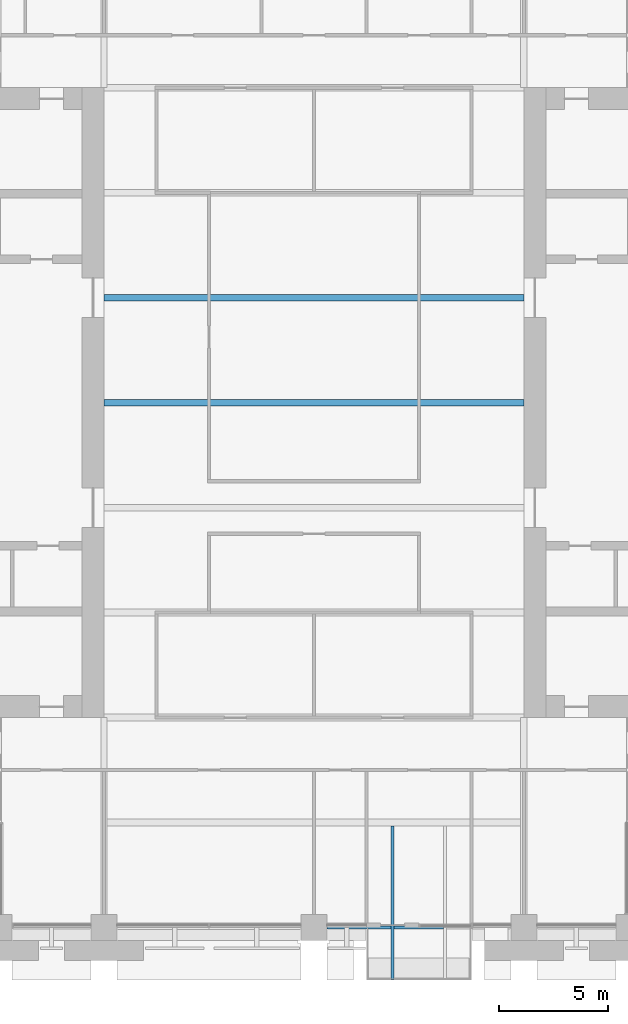
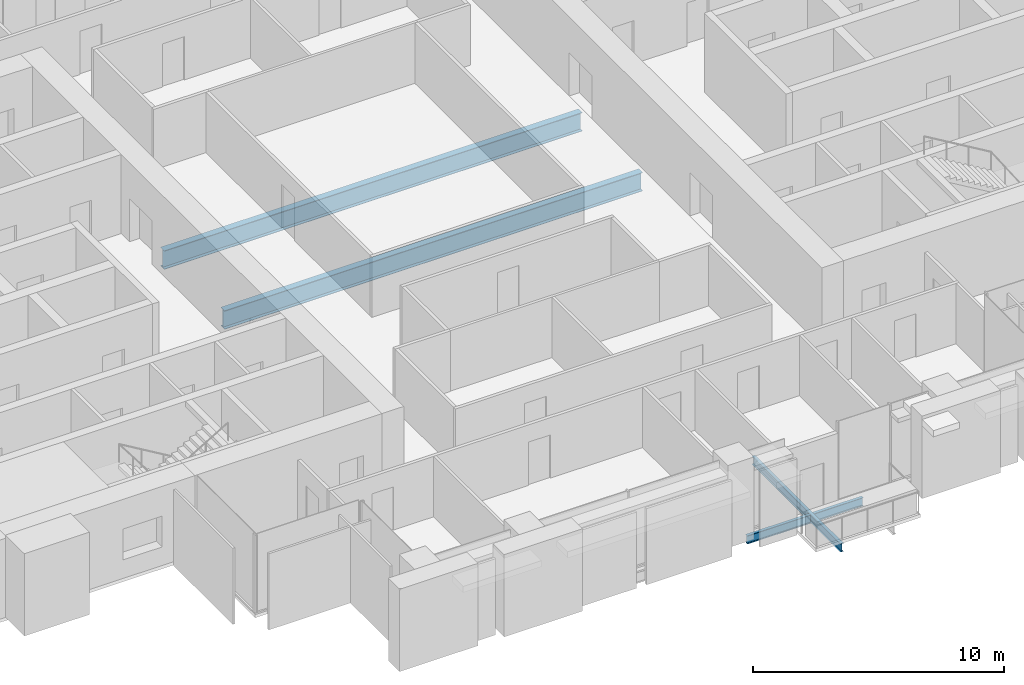
# One storey, part 3 of 15: 5 beams.
"""IFC4 building model written with IfcOpenShell, lengths in metres."""

from ifc_helpers import new_model, si_unit, direction, frame, origin, origin_2d, place, context, subcontext, project, spatial, i_section, extrude, material, material_profile, profile_set, type_object, element, save


model = new_model("IFC4")

# Units and contexts
model_context = context("Model", 3, precision=1e-05, world=origin(), true_north=direction((0.0, 1.0)))
body_context = subcontext(model_context, "Body", "Model", "MODEL_VIEW")
ifc_project = project(units=[si_unit("LENGTHUNIT", "METRE"), si_unit("AREAUNIT", "SQUARE_METRE"), si_unit("VOLUMEUNIT", "CUBIC_METRE"), si_unit("PLANEANGLEUNIT", "RADIAN"), si_unit("MASSUNIT", "GRAM", prefix="KILO")], contexts=[model_context])

# Site, building, storey
site_placement = place(None, origin())
site = spatial("IfcSite", under=ifc_project, at=site_placement, CompositionType="ELEMENT")
building_placement = place(site_placement, origin())
building = spatial("IfcBuilding", under=site, at=building_placement, Name="Baori Bourse Tower", CompositionType="ELEMENT")
storey_placement = place(building_placement, frame((0.0, 0.0, 116.10009765625)))
storey = spatial("IfcBuildingStorey", under=building, at=storey_placement, Name="L24", CompositionType="ELEMENT", Elevation=116.10009765625)

# Beams
ifc_material_1 = material(Name="Steel A992 Gr 50", Category="steel")
ifc_material_profile_1 = material_profile(ifc_material_1, i_section(OverallWidth=0.140380859375, OverallDepth=0.40380859375, WebThickness=0.007080078125, FlangeThickness=0.01123046875, at=origin_2d()), Name="W16x31")
ifc_profile_set_1 = profile_set([ifc_material_profile_1], Name="Steel A992 Gr 50")
beam_type_1 = type_object("IfcBeamType", Name="Balcony beam W16x31", PredefinedType="BEAM", material=ifc_profile_set_1)
beam_1_placement = place(storey_placement, frame((32.39990234375, -2.39990234375, -0.362060546875), z_axis=(0.0, 1.0, 0.0), x_axis=(-1.0, 0.0, 0.0)))
element("IfcBeam", 1, at=beam_1_placement, inside=storey, type_object=beam_type_1, Name="Balcony beam L24", PredefinedType="BEAM", context=body_context, shape_type="SweptSolid", body=[
    extrude(i_section(OverallWidth=0.140380859375, OverallDepth=0.40380859375, WebThickness=0.007080078125, FlangeThickness=0.01123046875, at=origin_2d()), origin(), (0.0, 0.0, 1.0), 7.050048828125),
])
ifc_material_2 = material(Name="Steel A992 Gr 50", Category="steel")
ifc_material_profile_2 = material_profile(ifc_material_2, i_section(OverallWidth=0.140380859375, OverallDepth=0.40380859375, WebThickness=0.007080078125, FlangeThickness=0.01123046875, at=origin_2d()), Name="W16x31")
ifc_profile_set_2 = profile_set([ifc_material_profile_2], Name="Steel A992 Gr 50")
beam_type_2 = type_object("IfcBeamType", Name="Edge beam W16x31", PredefinedType="BEAM", material=ifc_profile_set_2)
beam_2_placement = place(storey_placement, frame((29.39990234375, 0.0, -0.362060546875), z_axis=(1.0, 0.0, 0.0), x_axis=(0.0, 1.0, 0.0)))
element("IfcBeam", 2, at=beam_2_placement, inside=storey, type_object=beam_type_2, Name="Edge beam L24", PredefinedType="BEAM", context=body_context, shape_type="SweptSolid", body=[
    extrude(i_section(OverallWidth=0.140380859375, OverallDepth=0.40380859375, WebThickness=0.007080078125, FlangeThickness=0.01123046875, at=origin_2d()), origin(), (0.0, 0.0, 1.0), 2.929931640625),
])
beam_3_placement = place(storey_placement, frame((32.47021484375, 0.0, -0.362060546875), z_axis=(1.0, 0.0, 0.0), x_axis=(0.0, 1.0, 0.0)))
element("IfcBeam", 3, at=beam_3_placement, inside=storey, type_object=beam_type_2, Name="Edge beam L24", PredefinedType="BEAM", context=body_context, shape_type="SweptSolid", body=[
    extrude(i_section(OverallWidth=0.140380859375, OverallDepth=0.40380859375, WebThickness=0.007080078125, FlangeThickness=0.01123046875, at=origin_2d()), origin(), (0.0, 0.0, 1.0), 2.259521484375),
])
ifc_material_3 = material(Name="Steel A992 Gr 50", Category="steel")
ifc_material_profile_3 = material_profile(ifc_material_3, i_section(OverallWidth=0.3046875, OverallDepth=0.904296875, WebThickness=0.01513671875, FlangeThickness=0.02001953125, at=origin_2d()), Name="W36x135")
ifc_profile_set_3 = profile_set([ifc_material_profile_3], Name="Steel A992 Gr 50")
beam_type_3 = type_object("IfcBeamType", Name="Floor beam W36x135", PredefinedType="BEAM", material=ifc_profile_set_3)
for number, where, z_axis, x_axis, name in (
    (4, (19.199951171875, 24.0, -0.6123046875), (1.0, 0.0, 0.0), (0.0, 1.0, 0.0), "Floor beam L24"),
    (5, (19.199951171875, 28.800048828125, -0.6123046875), (1.0, 0.0, 0.0), (0.0, 1.0, 0.0), "Floor beam L24"),
):
    element("IfcBeam", number, at=place(storey_placement, frame(where, z_axis=z_axis, x_axis=x_axis)), inside=storey, type_object=beam_type_3, Name=name, PredefinedType="BEAM", context=body_context, shape_type="SweptSolid", body=[
        extrude(i_section(OverallWidth=0.3046875, OverallDepth=0.904296875, WebThickness=0.01513671875, FlangeThickness=0.02001953125, at=origin_2d()), origin(), (0.0, 0.0, 1.0), 19.199951171875),
    ])

save(model, "model.ifc")
